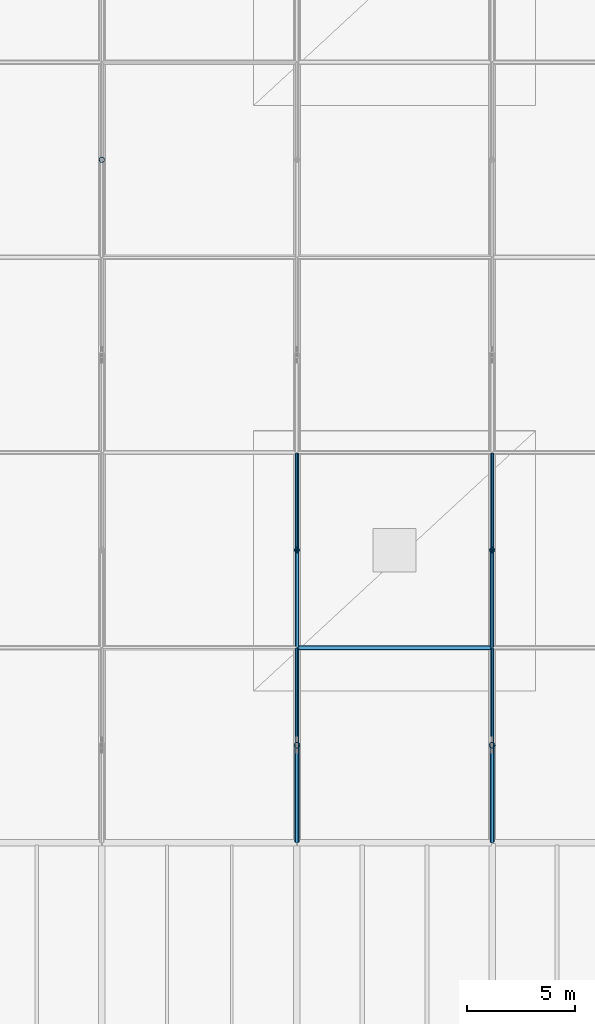
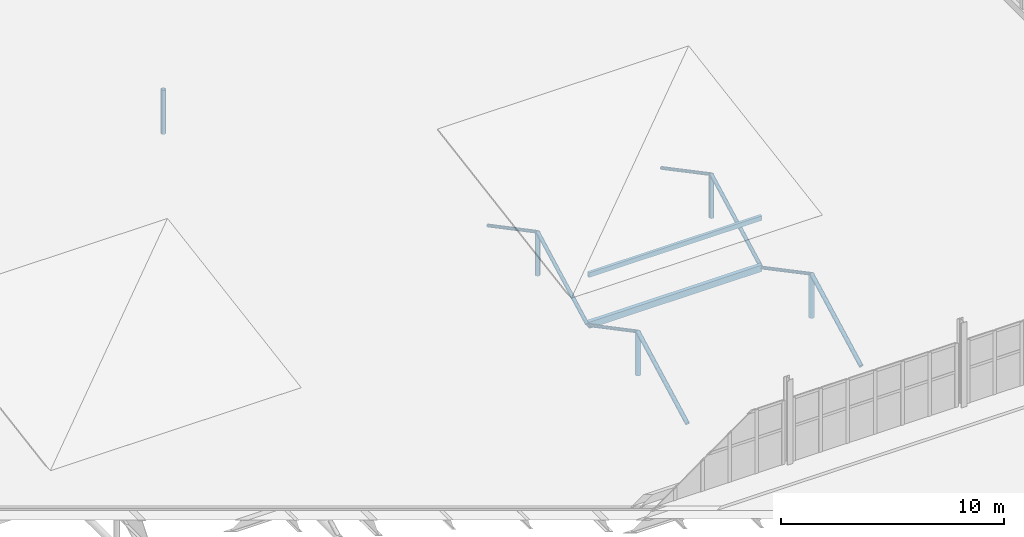
# One storey, part 80 of 196: 15 members.
"""IFC4 building model written with IfcOpenShell, lengths in metres."""

import ifcopenshell
import ifcopenshell.guid

model = None  # the IFC model being written
_history = None  # IfcOwnerHistory: only IFC2X3 demands one
_inside = {}  # id of a spatial element -> (the spatial element, [elements in it])
_under = {}  # id of a project, library or spatial element -> (it, [spatial elements below it])
_declared = {}  # id of a project -> (the project, [libraries it declares])
_typed = {}  # id of a type object -> (the type object, [elements of that type])
_made_of = {}  # id of a material, layer set ... -> (it, [elements and type objects made of it])


def new_model(schema):
    """Start an empty IFC model of exactly this schema.

    Asked for "IFC4X3", IfcOpenShell would pick the latest addendum, in which some entities
    have other attributes; the version numbers below select the first issue.
    IFC2X3 requires an IfcOwnerHistory on every rooted entity: one is made here for all.
    """
    global model, _history
    if schema == "IFC4X3":
        model = ifcopenshell.file(schema_version=(4, 3, 0, 0))
    else:
        model = ifcopenshell.file(schema=schema)
    _inside.clear()
    _under.clear()
    _declared.clear()
    _typed.clear()
    _made_of.clear()
    _history = None
    if model.schema == "IFC2X3":
        org = make("IfcOrganization", Name="unknown")
        user = make(
            "IfcPersonAndOrganization",
            ThePerson=make("IfcPerson", FamilyName="unknown"),
            TheOrganization=org,
        )
        app = make(
            "IfcApplication",
            ApplicationDeveloper=org,
            Version="unknown",
            ApplicationFullName="unknown",
            ApplicationIdentifier="unknown",
        )
        _history = make(
            "IfcOwnerHistory",
            OwningUser=user,
            OwningApplication=app,
            ChangeAction="ADDED",
            CreationDate=0,
        )
    return model


def make(cls, **values):
    """One entity of the class cls with the attributes given. An attribute that is None is left unset."""
    return model.create_entity(
        cls, **{name: value for name, value in values.items() if value is not None}
    )


def rooted(cls, **values):
    """An entity with a GlobalId (a new one), such as an element, a storey or a relation."""
    return make(cls, GlobalId=ifcopenshell.guid.new(), OwnerHistory=_history, **values)


def si_unit(unit_type, name, prefix=None):
    """IfcSIUnit, for example si_unit("LENGTHUNIT", "METRE", prefix="MILLI")."""
    return make("IfcSIUnit", UnitType=unit_type, Prefix=prefix, Name=name)


def assignment(units):
    """IfcUnitAssignment: the units of a project."""
    return None if units is None else make("IfcUnitAssignment", Units=units)


def point(xyz):
    """IfcCartesianPoint."""
    return None if xyz is None else make("IfcCartesianPoint", Coordinates=xyz)


def direction(xyz):
    """IfcDirection."""
    return None if xyz is None else make("IfcDirection", DirectionRatios=xyz)


def frame(location, z_axis=None, x_axis=None):
    """IfcAxis2Placement3D, a coordinate frame: its origin and axes. An axis left out is left unset."""
    return make(
        "IfcAxis2Placement3D",
        Location=point(location),
        Axis=direction(z_axis),
        RefDirection=direction(x_axis),
    )


def frame_2d(location, x_axis=None):
    """IfcAxis2Placement2D, a coordinate frame in the plane: its origin and x axis."""
    return make(
        "IfcAxis2Placement2D", Location=point(location), RefDirection=direction(x_axis)
    )


def origin():
    """The frame at (0, 0, 0) with its axes left unset."""
    return frame((0.0, 0.0, 0.0))


def origin_2d():
    """The frame at (0, 0) in the plane with its x axis left unset."""
    return frame_2d((0.0, 0.0))


def place(relative_to, where):
    """IfcLocalPlacement: puts the frame where relative to a parent placement (None: the world)."""
    return make(
        "IfcLocalPlacement", PlacementRelTo=relative_to, RelativePlacement=where
    )


def context(
    kind, dimensions, precision=None, world=None, true_north=None, identifier=None
):
    """IfcGeometricRepresentationContext, for example the 3D "Model" context."""
    return make(
        "IfcGeometricRepresentationContext",
        ContextIdentifier=identifier,
        ContextType=kind,
        CoordinateSpaceDimension=dimensions,
        Precision=precision,
        WorldCoordinateSystem=world,
        TrueNorth=true_north,
    )


def subcontext(parent, identifier, kind, view, scale=None):
    """IfcGeometricRepresentationSubContext, for example "Body" below "Model"."""
    return make(
        "IfcGeometricRepresentationSubContext",
        ContextIdentifier=identifier,
        ContextType=kind,
        ParentContext=parent,
        TargetScale=scale,
        TargetView=view,
    )


def project(units=None, contexts=None):
    """IfcProject with its units and contexts."""
    return rooted(
        "IfcProject",
        Name="project",
        RepresentationContexts=contexts,
        UnitsInContext=assignment(units),
    )


def spatial(cls, under=None, at=None, **own):
    """A site, building, storey or space (cls), placed at a placement, below another one or the project."""
    s = rooted(cls, ObjectPlacement=at, **own)
    if under is not None:
        _under.setdefault(under.id(), (under, []))[1].append(s)
    return s


def profile(cls, at=None, kind="AREA", **sizes):
    """A parametric profile (cls). Its sizes go by their IFC names, for example OverallWidth=200.0."""
    return make(cls, ProfileType=kind, Position=at, **sizes)


def hollow_rectangle(**sizes):
    """IfcRectangleHollowProfileDef."""
    return profile("IfcRectangleHollowProfileDef", **sizes)


def hollow_circle(**sizes):
    """IfcCircleHollowProfileDef."""
    return profile("IfcCircleHollowProfileDef", **sizes)


def extrude(swept, where, along, depth):
    """IfcExtrudedAreaSolid: the profile swept, set in the frame where, extruded along a direction by depth."""
    return make(
        "IfcExtrudedAreaSolid",
        SweptArea=swept,
        Position=where,
        ExtrudedDirection=direction(along),
        Depth=depth,
    )


def shape(context_of_items, identifier, shape_type, items):
    """IfcShapeRepresentation: the items that make up one representation, for example the "Body"."""
    return make(
        "IfcShapeRepresentation",
        ContextOfItems=context_of_items,
        RepresentationIdentifier=identifier,
        RepresentationType=shape_type,
        Items=items,
    )


def material(Name=None, Category=None):
    """IfcMaterial."""
    return make("IfcMaterial", Name=Name, Category=Category)


def material_profile(
    of_material, cross_section, Name=None, Category=None, Priority=None
):
    """IfcMaterialProfile: a cross section and its material."""
    return make(
        "IfcMaterialProfile",
        Name=Name,
        Material=of_material,
        Profile=cross_section,
        Priority=Priority,
        Category=Category,
    )


def profile_set(profiles, Name=None, composite=None):
    """IfcMaterialProfileSet."""
    return make(
        "IfcMaterialProfileSet",
        Name=Name,
        MaterialProfiles=profiles,
        CompositeProfile=composite,
    )


def made_of(thing, what):
    """Note that an element or type object is made of a material, layer set ...; save() writes the relation."""
    if what is not None:
        _made_of.setdefault(what.id(), (what, []))[1].append(thing)
    return thing


def type_object(cls, material=None, **own):
    """A type object (cls), such as IfcWallType, which elements share."""
    return made_of(rooted(cls, **own), material)


def element(
    cls,
    number,
    at=None,
    inside=None,
    cuts=None,
    type_object=None,
    material=None,
    context=None,
    identifier="Body",
    shape_type=None,
    held_by="IfcProductDefinitionShape",
    body=None,
    shapes=None,
    **own,
):
    """One element of the class cls, such as IfcWall. Its Tag is "e" and its number.

    at: its placement. inside: the storey or other place that contains it. cuts: it is an
    opening in that element (IfcRelVoidsElement). A single representation is given by context,
    identifier, shape_type and body (its items); several are given by shapes. held_by: the class
    of the entity that holds the representations. save() writes the other relations.
    """
    e = rooted(cls, Tag="e%d" % number, ObjectPlacement=at, **own)
    if body is not None:
        shapes = [shape(context, identifier, shape_type, body)]
    if shapes is not None:
        e.Representation = make(held_by, Representations=shapes)
    if inside is not None:
        _inside.setdefault(inside.id(), (inside, []))[1].append(e)
    if cuts is not None:
        rooted(
            "IfcRelVoidsElement", RelatingBuildingElement=cuts, RelatedOpeningElement=e
        )
    if type_object is not None:
        _typed.setdefault(type_object.id(), (type_object, []))[1].append(e)
    return made_of(e, material)


def aggregate(whole, parts):
    """IfcRelAggregates: a whole, such as a stair, and the parts it consists of."""
    return rooted("IfcRelAggregates", RelatingObject=whole, RelatedObjects=parts)


def save(model, path):
    """Write the relations noted so far, then the file.

    IfcRelAggregates (storeys below a building ...), IfcRelContainedInSpatialStructure (elements
    in a storey), IfcRelDefinesByType, IfcRelAssociatesMaterial and IfcRelDeclares: one each for
    every whole, place, type object, material and project.
    """
    for whole, parts in _under.values():
        aggregate(whole, parts)
    for where, things in _inside.values():
        rooted(
            "IfcRelContainedInSpatialStructure",
            RelatedElements=things,
            RelatingStructure=where,
        )
    for kind, things in _typed.values():
        rooted("IfcRelDefinesByType", RelatedObjects=things, RelatingType=kind)
    for what, things in _made_of.values():
        rooted("IfcRelAssociatesMaterial", RelatedObjects=things, RelatingMaterial=what)
    for by, libraries in _declared.values():
        rooted("IfcRelDeclares", RelatingContext=by, RelatedDefinitions=libraries)
    model.write(path)


model = new_model("IFC4")

# Units and contexts
model_context = context("Model", 3, precision=1e-05, world=origin(), true_north=direction((0.0, 1.0)))
body_context = subcontext(model_context, "Body", "Model", "MODEL_VIEW")
ifc_project = project(units=[si_unit("LENGTHUNIT", "METRE"), si_unit("AREAUNIT", "SQUARE_METRE"), si_unit("VOLUMEUNIT", "CUBIC_METRE"), si_unit("PLANEANGLEUNIT", "RADIAN"), si_unit("MASSUNIT", "GRAM", prefix="KILO")], contexts=[model_context])

# Site, building, storey
site_placement = place(None, origin())
site = spatial("IfcSite", under=ifc_project, at=site_placement, CompositionType="ELEMENT")
building_placement = place(site_placement, origin())
building = spatial("IfcBuilding", under=site, at=building_placement, Name="Barlavento Convention Centre", CompositionType="ELEMENT")
storey_placement = place(building_placement, frame((0.0, 0.0, 18.0)))
storey = spatial("IfcBuildingStorey", under=building, at=storey_placement, Name="L03", CompositionType="ELEMENT", Elevation=18.0)

# Members
ifc_material = material(Name="Steel S355", Category="steel")
ifc_material_profile_1 = material_profile(ifc_material, hollow_rectangle(XDim=0.199951171875, YDim=0.35009765625, WallThickness=0.012451171875, at=origin_2d()), Name="RHS 350x200x12.5")
ifc_profile_set_1 = profile_set([ifc_material_profile_1], Name="Steel S355")
member_type_1 = type_object("IfcMemberType", Name="STR-MEM-COL-RHS350", PredefinedType="COLLAR", material=ifc_profile_set_1)
member_1_placement = place(storey_placement, frame((99.02001953125, 72.0, -3.199951171875), z_axis=(1.0, 0.0, 0.0), x_axis=(0.0, 1.0, 0.0)))
element("IfcMember", 1, at=member_1_placement, inside=storey, type_object=member_type_1, Name="Exhibition space frame transverse chord", PredefinedType="COLLAR", context=body_context, shape_type="SweptSolid", body=[
    extrude(hollow_rectangle(XDim=0.199951171875, YDim=0.35009765625, WallThickness=0.012451171875, at=origin_2d()), origin(), (0.0, 0.0, 1.0), 8.9599609375),
])
ifc_material_profile_2 = material_profile(ifc_material, hollow_circle(Radius=0.084228515625, WallThickness=0.010009765625, at=origin_2d()), Name="CHS 168.3x10.0")
ifc_profile_set_2 = profile_set([ifc_material_profile_2], Name="Steel S355")
member_type_2 = type_object("IfcMemberType", Name="STR-MEM-DIAG-CHS168", PredefinedType="POST", material=ifc_profile_set_2)
for number, where, z_axis, x_axis, name in (
    (2, (99.0, 67.5, -0.84912109375), (0.0, 0.884200566707, -0.467107437144), (-1.0, 0.0, 0.0), "Exhibition space frame web diagonal"),
    (3, (99.0, 76.5, -0.84912109375), (0.0, 0.884200566707, -0.467107437144), (-1.0, 0.0, 0.0), "Exhibition space frame web diagonal"),
):
    element("IfcMember", number, at=place(storey_placement, frame(where, z_axis=z_axis, x_axis=x_axis)), inside=storey, type_object=member_type_2, Name=name, PredefinedType="POST", context=body_context, shape_type="SweptSolid", body=[
        extrude(hollow_circle(Radius=0.084228515625, WallThickness=0.010009765625, at=origin_2d()), origin(), (0.0, 0.0, 1.0), 5.03271484375),
    ])
for number, where, z_axis, x_axis, name in (
    (4, (108.0, 67.5, -0.844970703125), (0.0, 0.883859857229, -0.467751806816), (-1.0, 0.0, 0.0), "Exhibition space frame web diagonal"),
    (5, (108.0, 76.5, -0.844970703125), (0.0, 0.883859857229, -0.467751806816), (-1.0, 0.0, 0.0), "Exhibition space frame web diagonal"),
):
    element("IfcMember", number, at=place(storey_placement, frame(where, z_axis=z_axis, x_axis=x_axis)), inside=storey, type_object=member_type_2, Name=name, PredefinedType="POST", context=body_context, shape_type="SweptSolid", body=[
        extrude(hollow_circle(Radius=0.084228515625, WallThickness=0.010009765625, at=origin_2d()), origin(), (0.0, 0.0, 1.0), 5.03466796875),
    ])
ifc_material_profile_3 = material_profile(ifc_material, hollow_circle(Radius=0.096923828125, WallThickness=0.010009765625, at=origin_2d()), Name="CHS 193.7x10.0")
ifc_profile_set_3 = profile_set([ifc_material_profile_3], Name="Steel S355")
member_type_3 = type_object("IfcMemberType", Name="STR-MEM-DIAG-CHS193", PredefinedType="RAFTER", material=ifc_profile_set_3)
member_2_placement = place(storey_placement, frame((99.0, 72.050048828125, -3.199951171875), z_axis=(0.0, 0.884200566707, 0.467107437144), x_axis=(-1.0, 0.0, 0.0)))
element("IfcMember", 6, at=member_2_placement, inside=storey, type_object=member_type_3, Name="Exhibition space frame web diagonal", PredefinedType="RAFTER", context=body_context, shape_type="SweptSolid", body=[
    extrude(hollow_circle(Radius=0.096923828125, WallThickness=0.010009765625, at=origin_2d()), origin(), (0.0, 0.0, 1.0), 5.03271484375),
])
member_3_placement = place(storey_placement, frame((108.0, 72.050048828125, -3.199951171875), z_axis=(0.0, 0.883859857229, 0.467751806816), x_axis=(-1.0, 0.0, 0.0)))
element("IfcMember", 7, at=member_3_placement, inside=storey, type_object=member_type_3, Name="Exhibition space frame web diagonal", PredefinedType="RAFTER", context=body_context, shape_type="SweptSolid", body=[
    extrude(hollow_circle(Radius=0.096923828125, WallThickness=0.010009765625, at=origin_2d()), origin(), (0.0, 0.0, 1.0), 5.03466796875),
])
ifc_material_profile_4 = material_profile(ifc_material, hollow_circle(Radius=0.109619140625, WallThickness=0.012451171875, at=origin_2d()), Name="CHS 219.1x12.5")
ifc_profile_set_4 = profile_set([ifc_material_profile_4], Name="Steel S355")
member_type_4 = type_object("IfcMemberType", Name="STR-MEM-DIAG-CHS219", PredefinedType="RAFTER", material=ifc_profile_set_4)
member_4_placement = place(storey_placement, frame((99.0, 63.050048828125, -3.199951171875), z_axis=(0.0, 0.884200566707, 0.467107437144), x_axis=(-1.0, 0.0, 0.0)))
element("IfcMember", 8, at=member_4_placement, inside=storey, type_object=member_type_4, Name="Exhibition space frame web diagonal", PredefinedType="RAFTER", context=body_context, shape_type="SweptSolid", body=[
    extrude(hollow_circle(Radius=0.109619140625, WallThickness=0.012451171875, at=origin_2d()), origin(), (0.0, 0.0, 1.0), 5.03271484375),
])
member_5_placement = place(storey_placement, frame((108.0, 63.050048828125, -3.199951171875), z_axis=(0.0, 0.883859857229, 0.467751806816), x_axis=(-1.0, 0.0, 0.0)))
element("IfcMember", 9, at=member_5_placement, inside=storey, type_object=member_type_4, Name="Exhibition space frame web diagonal", PredefinedType="RAFTER", context=body_context, shape_type="SweptSolid", body=[
    extrude(hollow_circle(Radius=0.109619140625, WallThickness=0.012451171875, at=origin_2d()), origin(), (0.0, 0.0, 1.0), 5.03466796875),
])
ifc_material_profile_5 = material_profile(ifc_material, hollow_rectangle(XDim=0.14990234375, YDim=0.25, WallThickness=0.010009765625, at=origin_2d()), Name="RHS 250x150x10.0")
ifc_profile_set_5 = profile_set([ifc_material_profile_5], Name="Steel S355")
member_type_5 = type_object("IfcMemberType", Name="STR-MEM-PUR-RHS250", PredefinedType="PURLIN", material=ifc_profile_set_5)
member_6_placement = place(storey_placement, frame((99.02001953125, 72.0, -0.469970703125), z_axis=(1.0, 0.0, 0.0), x_axis=(0.0, 1.0, 0.0)))
element("IfcMember", 10, at=member_6_placement, inside=storey, type_object=member_type_5, Name="Exhibition roof purlin", PredefinedType="PURLIN", context=body_context, shape_type="SweptSolid", body=[
    extrude(hollow_rectangle(XDim=0.14990234375, YDim=0.25, WallThickness=0.010009765625, at=origin_2d()), origin(), (0.0, 0.0, 1.0), 8.9599609375),
])
ifc_material_profile_6 = material_profile(ifc_material, hollow_circle(Radius=0.122314453125, WallThickness=0.012451171875, at=origin_2d()), Name="CHS 244.5x12.5")
ifc_profile_set_6 = profile_set([ifc_material_profile_6], Name="Steel S355")
member_type_6 = type_object("IfcMemberType", Name="STR-MEM-STRUT-CHS244", PredefinedType="STRUT", material=ifc_profile_set_6)
member_7_placement = place(storey_placement, frame((90.0, 94.5, -3.199951171875), z_axis=(0.0, 0.0, 1.0), x_axis=(1.0, 0.0, 0.0)))
element("IfcMember", 11, at=member_7_placement, inside=storey, type_object=member_type_6, Name="Exhibition space frame vertical strut", PredefinedType="STRUT", context=body_context, shape_type="SweptSolid", body=[
    extrude(hollow_circle(Radius=0.122314453125, WallThickness=0.012451171875, at=origin_2d()), origin(), (0.0, 0.0, 1.0), 2.405029296875),
])
member_8_placement = place(storey_placement, frame((99.0, 76.5, -3.199951171875), z_axis=(0.0, 0.0, 1.0), x_axis=(1.0, 0.0, 0.0)))
element("IfcMember", 12, at=member_8_placement, inside=storey, type_object=member_type_6, Name="Exhibition space frame vertical strut", PredefinedType="STRUT", context=body_context, shape_type="SweptSolid", body=[
    extrude(hollow_circle(Radius=0.122314453125, WallThickness=0.012451171875, at=origin_2d()), origin(), (0.0, 0.0, 1.0), 2.350830078125),
])
member_9_placement = place(storey_placement, frame((108.0, 76.5, -3.199951171875), z_axis=(0.0, 0.0, 1.0), x_axis=(1.0, 0.0, 0.0)))
element("IfcMember", 13, at=member_9_placement, inside=storey, type_object=member_type_6, Name="Exhibition space frame vertical strut", PredefinedType="STRUT", context=body_context, shape_type="SweptSolid", body=[
    extrude(hollow_circle(Radius=0.122314453125, WallThickness=0.012451171875, at=origin_2d()), origin(), (0.0, 0.0, 1.0), 2.35498046875),
])
ifc_material_profile_7 = material_profile(ifc_material, hollow_circle(Radius=0.136474609375, WallThickness=0.012451171875, at=origin_2d()), Name="CHS 273.0x12.5")
ifc_profile_set_7 = profile_set([ifc_material_profile_7], Name="Steel S355")
member_type_7 = type_object("IfcMemberType", Name="STR-MEM-STRUT-CHS273", PredefinedType="STRUT", material=ifc_profile_set_7)
member_10_placement = place(storey_placement, frame((99.0, 67.5, -3.199951171875), z_axis=(0.0, 0.0, 1.0), x_axis=(1.0, 0.0, 0.0)))
element("IfcMember", 14, at=member_10_placement, inside=storey, type_object=member_type_7, Name="Exhibition space frame vertical strut", PredefinedType="STRUT", context=body_context, shape_type="SweptSolid", body=[
    extrude(hollow_circle(Radius=0.136474609375, WallThickness=0.012451171875, at=origin_2d()), origin(), (0.0, 0.0, 1.0), 2.350830078125),
])
member_11_placement = place(storey_placement, frame((108.0, 67.5, -3.199951171875), z_axis=(0.0, 0.0, 1.0), x_axis=(1.0, 0.0, 0.0)))
element("IfcMember", 15, at=member_11_placement, inside=storey, type_object=member_type_7, Name="Exhibition space frame vertical strut", PredefinedType="STRUT", context=body_context, shape_type="SweptSolid", body=[
    extrude(hollow_circle(Radius=0.136474609375, WallThickness=0.012451171875, at=origin_2d()), origin(), (0.0, 0.0, 1.0), 2.35498046875),
])

save(model, "model.ifc")
